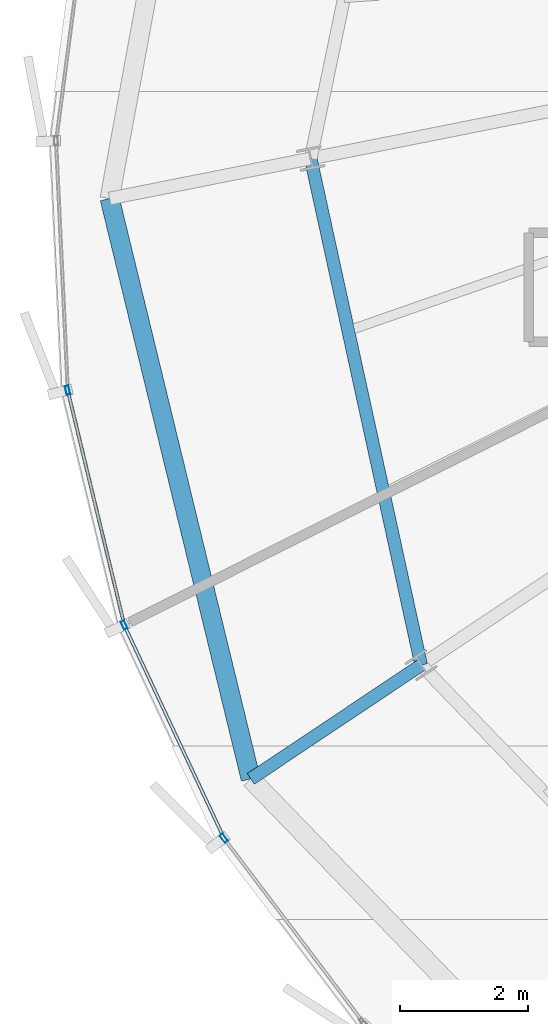
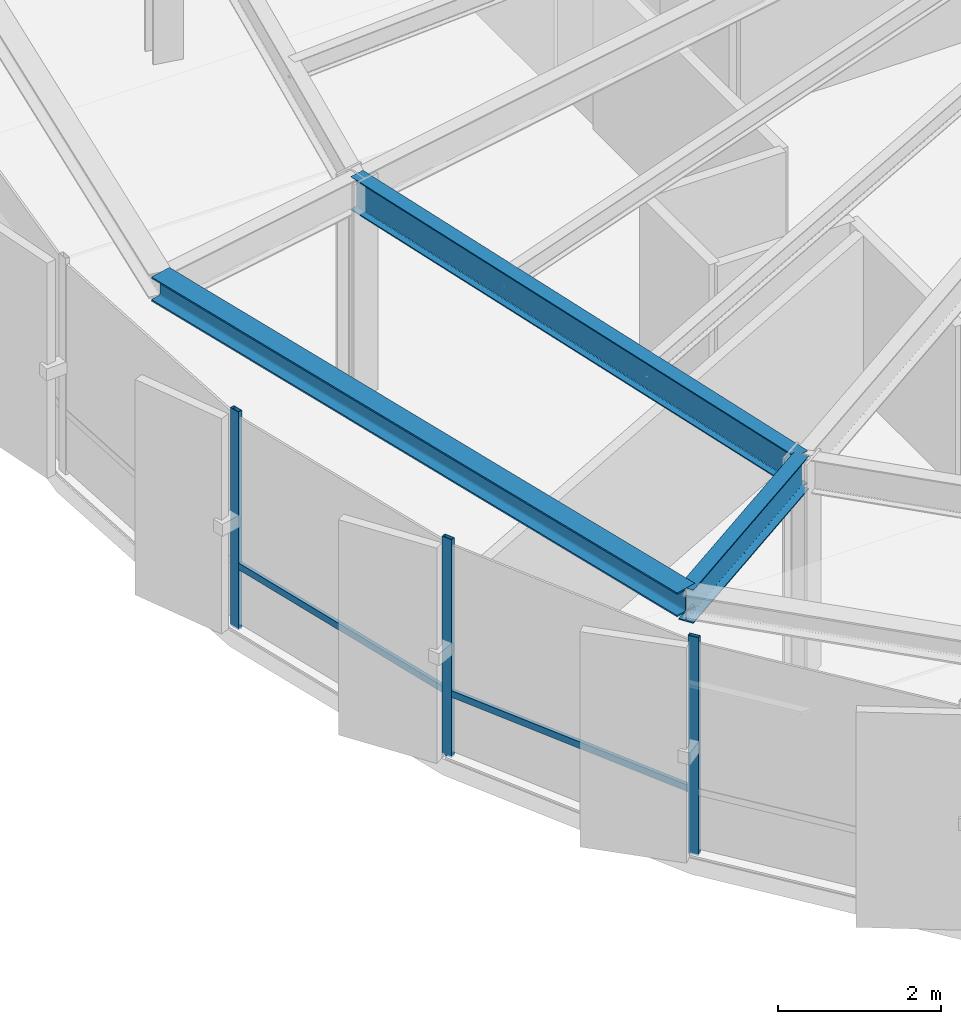
# One storey, part 4 of 34: 5 members, 3 beams, 1 element without a shape of its own.
"""IFC4 building model written with IfcOpenShell, lengths in metres."""

from ifc_helpers import new_model, si_unit, direction, frame, origin, origin_2d, place, context, subcontext, project, spatial, hollow_rectangle, i_section, extrude, source, transform, mapped, material, layer, layer_set, material_profile, profile_set, type_object, element, aggregate, save


model = new_model("IFC4")

# Units and contexts
model_context = context("Model", 3, precision=1e-05, world=origin(), true_north=direction((0.0, 1.0)))
body_context = subcontext(model_context, "Body", "Model", "MODEL_VIEW")
ifc_project = project(units=[si_unit("LENGTHUNIT", "METRE"), si_unit("AREAUNIT", "SQUARE_METRE"), si_unit("VOLUMEUNIT", "CUBIC_METRE"), si_unit("PLANEANGLEUNIT", "RADIAN"), si_unit("MASSUNIT", "GRAM", prefix="KILO"), si_unit("THERMODYNAMICTEMPERATUREUNIT", "KELVIN")], contexts=[model_context])

# Site, building, storey
site_placement = place(None, origin())
site = spatial("IfcSite", under=ifc_project, at=site_placement, CompositionType="ELEMENT")
building_placement = place(site_placement, origin())
building = spatial("IfcBuilding", under=site, at=building_placement, Name="Kethvar Cultural Tower", CompositionType="ELEMENT")
storey_placement = place(building_placement, frame((0.0, 0.0, 207.89990234375)))
storey = spatial("IfcBuildingStorey", under=building, at=storey_placement, Name="L54", CompositionType="ELEMENT", Elevation=207.89990234375)

# Beams
ifc_material_1 = material(Name="Steel S355J2", Category="steel")
ifc_material_profile_1 = material_profile(ifc_material_1, i_section(OverallWidth=0.199951171875, OverallDepth=0.5, WebThickness=0.01025390625, FlangeThickness=0.01611328125, FilletRadius=0.02099609375, at=origin_2d()), Name="Steel S355J2 — IPE500")
ifc_profile_set_1 = profile_set([ifc_material_profile_1], Name="Steel S355J2 — IPE500")
beam_type_1 = type_object("IfcBeamType", Name="BM-IPE500", PredefinedType="BEAM", material=ifc_profile_set_1)
shared_shape_1 = source(origin(), body_context, "Body", "SweptSolid", [
    extrude(i_section(OverallWidth=0.199951171875, OverallDepth=0.5, WebThickness=0.01025390625, FlangeThickness=0.01611328125, FilletRadius=0.02099609375, at=origin_2d()), origin(), (0.0, 0.0, 1.0), 3.199951171875),
])
beam_1_placement = place(storey_placement, frame((29.217529296875, 16.0517578125, 3.008056640625), z_axis=(-0.831462943996, -0.555580212716, 0.0), x_axis=(0.555580212716, -0.831462943996, 0.0)))
element("IfcBeam", 1, at=beam_1_placement, inside=storey, type_object=beam_type_1, Name="L54 Perimeter Cantilever Beam RC-10", PredefinedType="BEAM", context=body_context, shape_type="MappedRepresentation", body=[
    mapped(shared_shape_1, transform((0.0, 0.0, 0.0), scale=1.0)),
])
shared_shape_2 = source(origin(), body_context, "Body", "SweptSolid", [
    extrude(i_section(OverallWidth=0.199951171875, OverallDepth=0.5, WebThickness=0.01025390625, FlangeThickness=0.01611328125, FilletRadius=0.02099609375, at=origin_2d()), origin(), (0.0, 0.0, 1.0), 8.09375),
])
beam_2_placement = place(storey_placement, frame((27.492919921875, 23.959716796875, 3.008056640625), z_axis=(0.213077030298, -0.977035403227, 0.0), x_axis=(0.977035403227, 0.213077030298, 0.0)))
element("IfcBeam", 2, at=beam_2_placement, inside=storey, type_object=beam_type_1, Name="L54 Column Ring Tie Beam CR-09", PredefinedType="BEAM", context=body_context, shape_type="MappedRepresentation", body=[
    mapped(shared_shape_2, transform((0.0, 0.0, 0.0), scale=1.0)),
])
ifc_material_profile_2 = material_profile(ifc_material_1, i_section(OverallWidth=0.300048828125, OverallDepth=0.360107421875, WebThickness=0.012451171875, FlangeThickness=0.0224609375, FilletRadius=0.027099609375, at=origin_2d()), Name="Steel S355J2 — HEB360")
ifc_profile_set_2 = profile_set([ifc_material_profile_2], Name="Steel S355J2 — HEB360")
beam_type_2 = type_object("IfcBeamType", Name="BM-SP360", PredefinedType="SPANDREL", material=ifc_profile_set_2)
shared_shape_3 = source(origin(), body_context, "Body", "SweptSolid", [
    extrude(i_section(OverallWidth=0.300048828125, OverallDepth=0.360107421875, WebThickness=0.012451171875, FlangeThickness=0.0224609375, FilletRadius=0.027099609375, at=origin_2d()), origin(), (0.0, 0.0, 1.0), 9.3251953125),
])
beam_3_placement = place(storey_placement, frame((24.3544921875, 23.335205078125, 3.078125), z_axis=(0.236179213868, -0.97170951366, 0.0), x_axis=(0.97170951366, 0.236179213868, 0.0)))
element("IfcBeam", 3, at=beam_3_placement, inside=storey, type_object=beam_type_2, Name="L54 Perimeter Spandrel Beam SP-09", PredefinedType="SPANDREL", context=body_context, shape_type="MappedRepresentation", body=[
    mapped(shared_shape_3, transform((0.0, 0.0, 0.0), scale=1.0)),
])

# Curtain wall, members
ifc_material_2 = material(Name="Aluminium 6063-T6", Category="aluminium")
ifc_layer = layer(ifc_material_2, 0.179931640625, Name="Aluminium 6063-T6", Category="aluminium")
ifc_layer_set = layer_set([ifc_layer], Name="Aluminium 6063-T6 (180 mm)")
curtain_wall_type = type_object("IfcCurtainWallType", Name="CW-SYS-04-Z34", PredefinedType="NOTDEFINED", material=ifc_layer_set)
curtain_wall_placement = place(storey_placement, origin())
curtain_wall = element("IfcCurtainWall", 4, at=curtain_wall_placement, inside=storey, type_object=curtain_wall_type, Name="L54 Curtain Wall Run 03", PredefinedType="NOTDEFINED")
ifc_material_profile_3 = material_profile(ifc_material_2, hollow_rectangle(XDim=0.06005859375, YDim=0.139892578125, WallThickness=0.0048828125, at=origin_2d()), Name="Aluminium 6063-T6 — RHS140x60x5")
ifc_profile_set_3 = profile_set([ifc_material_profile_3], Name="Aluminium 6063-T6 — RHS140x60x5")
member_type_1 = type_object("IfcMemberType", Name="CW-SYS-04-Z34-MUL", PredefinedType="MULLION", material=ifc_profile_set_3)
shared_shape_4 = source(origin(), body_context, "Body", "SweptSolid", [
    extrude(hollow_rectangle(XDim=0.06005859375, YDim=0.139892578125, WallThickness=0.0048828125, at=origin_2d()), origin(), (0.0, 0.0, 1.0), 3.260009765625),
])
member_1_placement = place(storey_placement, frame((23.69873046875, 20.34228515625, 0.0), z_axis=(0.0, 0.0, 1.0), x_axis=(0.972096271492, 0.234582264783, 0.0)))
member_1 = element("IfcMember", 5, at=member_1_placement, type_object=member_type_1, Name="CW-L54-R03 Mullion 4", PredefinedType="MULLION", context=body_context, shape_type="MappedRepresentation", body=[
    mapped(shared_shape_4, transform((0.0, 0.0, 0.0), scale=1.0)),
])
member_2_placement = place(storey_placement, frame((24.5810546875, 16.677001953125, 0.0), z_axis=(0.0, 0.0, 1.0), x_axis=(0.905561395197, 0.424215227838, 0.0)))
member_2 = element("IfcMember", 6, at=member_2_placement, type_object=member_type_1, Name="CW-L54-R03 Mullion 5", PredefinedType="MULLION", context=body_context, shape_type="MappedRepresentation", body=[
    mapped(shared_shape_4, transform((0.0, 0.0, 0.0), scale=1.0)),
])
member_3_placement = place(storey_placement, frame((26.136962890625, 13.35009765625, 0.0), z_axis=(0.0, 0.0, 1.0), x_axis=(0.797499697327, 0.60331934559, 0.0)))
member_3 = element("IfcMember", 7, at=member_3_placement, type_object=member_type_1, Name="CW-L54-R03 Mullion 6", PredefinedType="MULLION", context=body_context, shape_type="MappedRepresentation", body=[
    mapped(shared_shape_4, transform((0.0, 0.0, 0.0), scale=1.0)),
])
ifc_material_profile_4 = material_profile(ifc_material_2, hollow_rectangle(XDim=0.050048828125, YDim=0.10009765625, WallThickness=0.00390625, at=origin_2d()), Name="Aluminium 6063-T6 — RHS100x50x4")
ifc_profile_set_4 = profile_set([ifc_material_profile_4], Name="Aluminium 6063-T6 — RHS100x50x4")
member_type_2 = type_object("IfcMemberType", Name="CW-SYS-04-Z34-TRN", PredefinedType="USERDEFINED", material=ifc_profile_set_4)
shared_shape_5 = source(origin(), body_context, "Body", "SweptSolid", [
    extrude(hollow_rectangle(XDim=0.050048828125, YDim=0.10009765625, WallThickness=0.00390625, at=origin_2d()), origin(), (0.0, 0.0, 1.0), 3.609375),
])
member_4_placement = place(storey_placement, frame((24.599365234375, 16.637939453125, 0.9501953125), z_axis=(0.424232843688, -0.905553142745, 0.0), x_axis=(0.905553142745, 0.424232843688, 0.0)))
member_4 = element("IfcMember", 8, at=member_4_placement, type_object=member_type_2, Name="CW-L54-R03 Transom 5", ObjectType="TRANSOM", PredefinedType="USERDEFINED", context=body_context, shape_type="MappedRepresentation", body=[
    mapped(shared_shape_5, transform((0.0, 0.0, 0.0), scale=1.0)),
])
shared_shape_6 = source(origin(), body_context, "Body", "SweptSolid", [
    extrude(hollow_rectangle(XDim=0.050048828125, YDim=0.10009765625, WallThickness=0.00390625, at=origin_2d()), origin(), (0.0, 0.0, 1.0), 3.705322265625),
])
member_5_placement = place(storey_placement, frame((23.708984375, 20.30029296875, 0.9501953125), z_axis=(0.234558950418, -0.972101897323, 0.0), x_axis=(0.972101897323, 0.234558950418, 0.0)))
member_5 = element("IfcMember", 9, at=member_5_placement, type_object=member_type_2, Name="CW-L54-R03 Transom 4", ObjectType="TRANSOM", PredefinedType="USERDEFINED", context=body_context, shape_type="MappedRepresentation", body=[
    mapped(shared_shape_6, transform((0.0, 0.0, 0.0), scale=1.0)),
])
aggregate(curtain_wall, [member_1, member_2, member_3, member_5, member_4])

save(model, "model.ifc")
